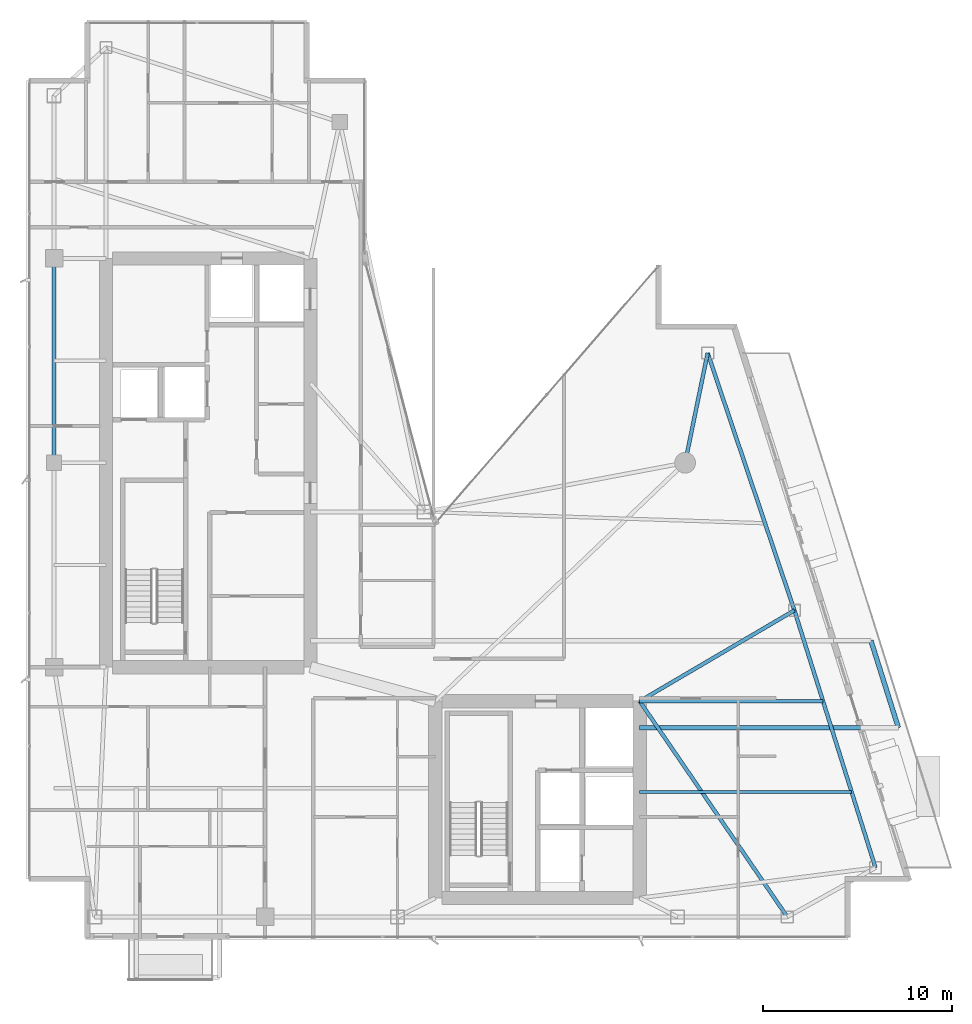
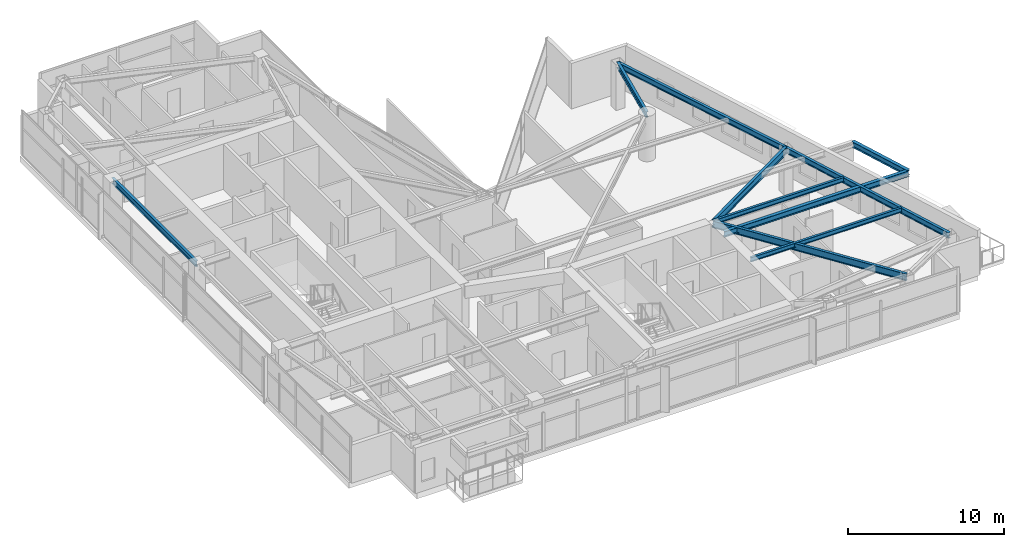
# One storey, part 14 of 28: 10 beams.
"""IFC4 building model written with IfcOpenShell, lengths in metres."""

from ifc_helpers import new_model, si_unit, direction, frame, origin, origin_2d, place, context, subcontext, project, spatial, i_section, extrude, material, material_profile, profile_set, type_object, element, save


model = new_model("IFC4")

# Units and contexts
model_context = context("Model", 3, precision=1e-05, world=origin(), true_north=direction((0.0, 1.0)))
body_context = subcontext(model_context, "Body", "Model", "MODEL_VIEW")
ifc_project = project(units=[si_unit("LENGTHUNIT", "METRE"), si_unit("AREAUNIT", "SQUARE_METRE"), si_unit("VOLUMEUNIT", "CUBIC_METRE"), si_unit("PLANEANGLEUNIT", "RADIAN"), si_unit("MASSUNIT", "GRAM", prefix="KILO")], contexts=[model_context])

# Site, building, storey
site_placement = place(None, origin())
site = spatial("IfcSite", under=ifc_project, at=site_placement, CompositionType="ELEMENT")
building_placement = place(site_placement, origin())
building = spatial("IfcBuilding", under=site, at=building_placement, Name="Calvorn Quay Hotel", CompositionType="ELEMENT")
storey_placement = place(building_placement, frame((0.0, 0.0, 243.800048828125)))
storey = spatial("IfcBuildingStorey", under=building, at=storey_placement, Name="L60", CompositionType="ELEMENT", Elevation=243.800048828125)

# Beams
ifc_material_1 = material(Name="Steel Q355B", Category="steel")
ifc_material_profile_1 = material_profile(ifc_material_1, i_section(OverallWidth=0.25, OverallDepth=0.449951171875, WebThickness=0.011962890625, FlangeThickness=0.01611328125, FilletRadius=0.01611328125, at=origin_2d()), Name="HN450x250x12x16")
ifc_profile_set_1 = profile_set([ifc_material_profile_1], Name="Steel Q355B")
beam_type_1 = type_object("IfcBeamType", Name="BM-CANT-BALC", PredefinedType="BEAM", material=ifc_profile_set_1)
beam_1_placement = place(storey_placement, frame((32.39990234375, 13.60009765625, 3.31494140625), z_axis=(1.0, 0.0, 0.0), x_axis=(0.0, 1.0, 0.0)))
element("IfcBeam", 1, at=beam_1_placement, inside=storey, type_object=beam_type_1, Name="Cantilever Balcony Beam BCB-L61-1A", PredefinedType="BEAM", context=body_context, shape_type="SweptSolid", body=[
    extrude(i_section(OverallWidth=0.25, OverallDepth=0.449951171875, WebThickness=0.011962890625, FlangeThickness=0.01611328125, FilletRadius=0.01611328125, at=origin_2d()), origin(), (0.0, 0.0, 1.0), 13.669189453125),
])
beam_2_placement = place(storey_placement, frame((46.069091796875, 13.60009765625, 3.31494140625), z_axis=(-0.300450487966, 0.953797412599, 0.0), x_axis=(-0.953797412599, -0.300450487966, 0.0)))
element("IfcBeam", 2, at=beam_2_placement, inside=storey, type_object=beam_type_1, Name="Beam BCBO-L61-1", PredefinedType="BEAM", context=body_context, shape_type="SweptSolid", body=[
    extrude(i_section(OverallWidth=0.25, OverallDepth=0.449951171875, WebThickness=0.011962890625, FlangeThickness=0.01611328125, FilletRadius=0.01611328125, at=origin_2d()), origin(), (0.0, 0.0, 1.0), 4.82275390625),
])
ifc_material_2 = material(Name="Steel Q355B", Category="steel")
ifc_material_profile_2 = material_profile(ifc_material_2, i_section(OverallWidth=0.199951171875, OverallDepth=0.550048828125, WebThickness=0.010009765625, FlangeThickness=0.01611328125, FilletRadius=0.01806640625, at=origin_2d()), Name="HN550x200x10x16")
ifc_profile_set_2 = profile_set([ifc_material_profile_2], Name="Steel Q355B")
beam_type_2 = type_object("IfcBeamType", Name="BM-GIRD-UPP", PredefinedType="BEAM", material=ifc_profile_set_2)
beam_3_placement = place(storey_placement, frame((32.39990234375, 15.0, 3.264892578125), z_axis=(0.862366169926, 0.506285086653, 0.0), x_axis=(-0.506285086653, 0.862366169926, 0.0)))
element("IfcBeam", 3, at=beam_3_placement, inside=storey, type_object=beam_type_2, Name="Beam BG-L60-E2", PredefinedType="BEAM", context=body_context, shape_type="SweptSolid", body=[
    extrude(i_section(OverallWidth=0.199951171875, OverallDepth=0.550048828125, WebThickness=0.010009765625, FlangeThickness=0.01611328125, FilletRadius=0.01806640625, at=origin_2d()), origin(), (0.0, 0.0, 1.0), 9.48095703125),
])
beam_4_placement = place(storey_placement, frame((40.199951171875, 3.60009765625, 3.264892578125), z_axis=(-0.564689618177, 0.825303359452, 0.0), x_axis=(-0.825303359452, -0.564689618177, 0.0)))
element("IfcBeam", 4, at=beam_4_placement, inside=storey, type_object=beam_type_2, Name="Beam BG-L60-E6", PredefinedType="BEAM", context=body_context, shape_type="SweptSolid", body=[
    extrude(i_section(OverallWidth=0.199951171875, OverallDepth=0.550048828125, WebThickness=0.010009765625, FlangeThickness=0.01611328125, FilletRadius=0.01806640625, at=origin_2d()), origin(), (0.0, 0.0, 1.0), 13.81298828125),
])
ifc_material_3 = material(Name="Steel Q355B", Category="steel")
ifc_material_profile_3 = material_profile(ifc_material_3, i_section(OverallWidth=0.175048828125, OverallDepth=0.35009765625, WebThickness=0.007080078125, FlangeThickness=0.010986328125, FilletRadius=0.013916015625, at=origin_2d()), Name="HN350x175x7x11")
ifc_profile_set_3 = profile_set([ifc_material_profile_3], Name="Steel Q355B")
beam_type_3 = type_object("IfcBeamType", Name="BM-JOIST-SEC", PredefinedType="JOIST", material=ifc_profile_set_3)
beam_5_placement = place(storey_placement, frame((32.39990234375, 10.199951171875, 3.364990234375), z_axis=(1.0, 0.0, 0.0), x_axis=(0.0, 1.0, 0.0)))
element("IfcBeam", 5, at=beam_5_placement, inside=storey, type_object=beam_type_3, Name="Beam BJ-L60-E1", PredefinedType="JOIST", context=body_context, shape_type="SweptSolid", body=[
    extrude(i_section(OverallWidth=0.175048828125, OverallDepth=0.35009765625, WebThickness=0.007080078125, FlangeThickness=0.010986328125, FilletRadius=0.013916015625, at=origin_2d()), origin(), (0.0, 0.0, 1.0), 11.201171875),
])
beam_6_placement = place(storey_placement, frame((32.39990234375, 15.0, 3.364990234375), z_axis=(1.0, 0.0, 0.0), x_axis=(0.0, 1.0, 0.0)))
element("IfcBeam", 6, at=beam_6_placement, inside=storey, type_object=beam_type_3, Name="Beam BJ-L60-E2", PredefinedType="JOIST", context=body_context, shape_type="SweptSolid", body=[
    extrude(i_section(OverallWidth=0.175048828125, OverallDepth=0.35009765625, WebThickness=0.007080078125, FlangeThickness=0.010986328125, FilletRadius=0.013916015625, at=origin_2d()), origin(), (0.0, 0.0, 1.0), 9.68798828125),
])
ifc_material_4 = material(Name="Steel Q355B", Category="steel")
ifc_material_profile_4 = material_profile(ifc_material_4, i_section(OverallWidth=0.199951171875, OverallDepth=0.449951171875, WebThickness=0.009033203125, FlangeThickness=0.013916015625, FilletRadius=0.01611328125, at=origin_2d()), Name="HN450x200x9x14")
ifc_profile_set_4 = profile_set([ifc_material_profile_4], Name="Steel Q355B")
beam_type_4 = type_object("IfcBeamType", Name="BM-SPANDREL-Z3", PredefinedType="SPANDREL", material=ifc_profile_set_4)
beam_7_placement = place(storey_placement, frame((1.449951171875, 27.60009765625, 3.31494140625), z_axis=(0.0, 1.0, 0.0), x_axis=(-1.0, 0.0, 0.0)))
element("IfcBeam", 7, at=beam_7_placement, inside=storey, type_object=beam_type_4, Name="Beam BSP-L60-W3", PredefinedType="SPANDREL", context=body_context, shape_type="SweptSolid", body=[
    extrude(i_section(OverallWidth=0.199951171875, OverallDepth=0.449951171875, WebThickness=0.009033203125, FlangeThickness=0.013916015625, FilletRadius=0.01611328125, at=origin_2d()), origin(), (0.0, 0.0, 1.0), 10.7998046875),
])
beam_8_placement = place(storey_placement, frame((44.861083984375, 6.199951171875, 3.31494140625), z_axis=(-0.300518378216, 0.953776024208, 0.0), x_axis=(-0.953776024208, -0.300518378216, 0.0)))
element("IfcBeam", 8, at=beam_8_placement, inside=storey, type_object=beam_type_4, Name="Beam BSP-L60-E1", PredefinedType="SPANDREL", context=body_context, shape_type="SweptSolid", body=[
    extrude(i_section(OverallWidth=0.199951171875, OverallDepth=0.449951171875, WebThickness=0.009033203125, FlangeThickness=0.013916015625, FilletRadius=0.01611328125, at=origin_2d()), origin(), (0.0, 0.0, 1.0), 14.25927734375),
])
beam_9_placement = place(storey_placement, frame((40.575927734375, 19.800048828125, 3.31494140625), z_axis=(-0.319466515944, 0.947597564998, 0.0), x_axis=(-0.947597564998, -0.319466515944, 0.0)))
element("IfcBeam", 9, at=beam_9_placement, inside=storey, type_object=beam_type_4, Name="Beam BSP-L60-E2", PredefinedType="SPANDREL", context=body_context, shape_type="SweptSolid", body=[
    extrude(i_section(OverallWidth=0.199951171875, OverallDepth=0.449951171875, WebThickness=0.009033203125, FlangeThickness=0.013916015625, FilletRadius=0.01611328125, at=origin_2d()), origin(), (0.0, 0.0, 1.0), 14.35205078125),
])
beam_10_placement = place(storey_placement, frame((35.990966796875, 33.39990234375, 3.31494140625), z_axis=(-0.201140971716, -0.979562305061, 0.0), x_axis=(0.979562305061, -0.201140971716, 0.0)))
element("IfcBeam", 10, at=beam_10_placement, inside=storey, type_object=beam_type_4, Name="Beam BSP-L60-E3", PredefinedType="SPANDREL", context=body_context, shape_type="SweptSolid", body=[
    extrude(i_section(OverallWidth=0.199951171875, OverallDepth=0.449951171875, WebThickness=0.009033203125, FlangeThickness=0.013916015625, FilletRadius=0.01611328125, at=origin_2d()), origin(), (0.0, 0.0, 1.0), 5.9208984375),
])

save(model, "model.ifc")
